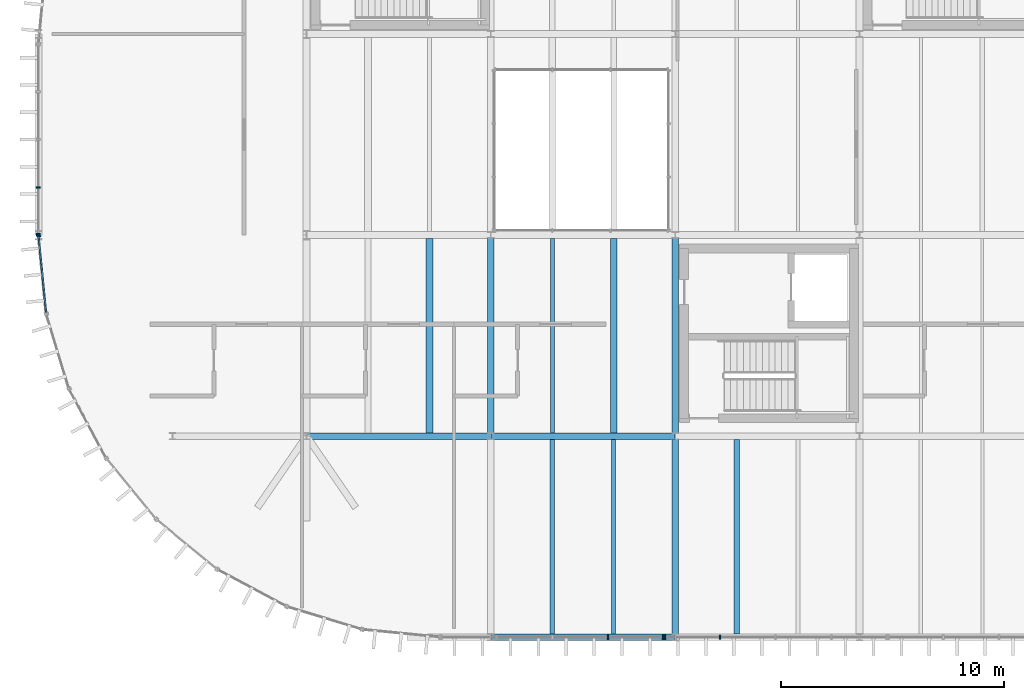
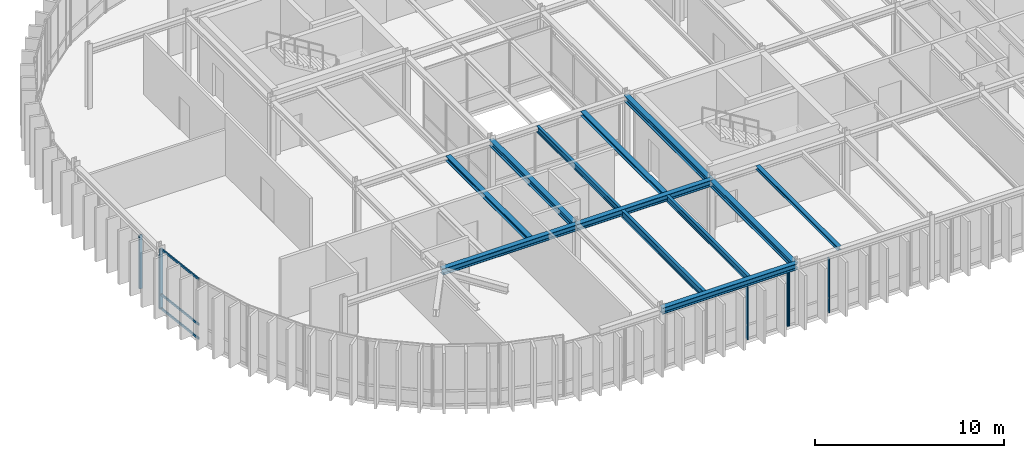
# One storey, part 6 of 27: 12 beams, 10 members, 4 elements without a shape of their own.
"""IFC4 building model written with IfcOpenShell, lengths in metres."""

from ifc_helpers import new_model, si_unit, direction, frame, origin, origin_2d, place, context, subcontext, project, spatial, rectangle, i_section, extrude, material, layer, layer_set, material_profile, profile_set, type_object, element, aggregate, save


model = new_model("IFC4")

# Units and contexts
model_context = context("Model", 3, precision=1e-05, world=origin(), true_north=direction((0.0, 1.0)))
body_context = subcontext(model_context, "Body", "Model", "MODEL_VIEW")
ifc_project = project(units=[si_unit("LENGTHUNIT", "METRE"), si_unit("AREAUNIT", "SQUARE_METRE"), si_unit("VOLUMEUNIT", "CUBIC_METRE"), si_unit("PLANEANGLEUNIT", "RADIAN"), si_unit("MASSUNIT", "GRAM", prefix="KILO")], contexts=[model_context])

# Site, building, storey
site_placement = place(None, origin())
site = spatial("IfcSite", under=ifc_project, at=site_placement, CompositionType="ELEMENT")
building_placement = place(site_placement, origin())
building = spatial("IfcBuilding", under=site, at=building_placement, Name="Montealbar Specialist Clinic", CompositionType="ELEMENT")
storey_placement = place(building_placement, frame((0.0, 0.0, 18.0)))
storey = spatial("IfcBuildingStorey", under=building, at=storey_placement, Name="L04", CompositionType="ELEMENT", Elevation=18.0)

# Beams
ifc_material_1 = material(Name="Steel S355", Category="steel")
ifc_material_profile_1 = material_profile(ifc_material_1, i_section(OverallWidth=0.300048828125, OverallDepth=0.39990234375, WebThickness=0.013427734375, FlangeThickness=0.02392578125, FilletRadius=0.027099609375, at=origin_2d()), Name="HEB 400", Category="steel")
ifc_profile_set_1 = profile_set([ifc_material_profile_1], Name="Steel S355")
beam_type_1 = type_object("IfcBeamType", Name="BM-GIRD-HEB400", PredefinedType="BEAM", material=ifc_profile_set_1)
for number, where, z_axis, x_axis, name in (
    (1, (66.0, 9.0, 3.68994140625), (1.0, 0.0, 0.0), (0.0, 1.0, 0.0), "Beam GX-L04-660-742-90"),
    (2, (74.25, 9.0, 3.68994140625), (1.0, 0.0, 0.0), (0.0, 1.0, 0.0), "Beam GX-L04-742-825-90"),
):
    element("IfcBeam", number, at=place(storey_placement, frame(where, z_axis=z_axis, x_axis=x_axis)), inside=storey, type_object=beam_type_1, Name=name, PredefinedType="BEAM", context=body_context, shape_type="SweptSolid", body=[
        extrude(i_section(OverallWidth=0.300048828125, OverallDepth=0.39990234375, WebThickness=0.013427734375, FlangeThickness=0.02392578125, FilletRadius=0.027099609375, at=origin_2d()), origin(), (0.0, 0.0, 1.0), 8.25),
    ])
for number, where, z_axis, x_axis, name in (
    (3, (74.25, 9.0, 3.68994140625), (0.0, 1.0, 0.0), (-1.0, 0.0, 0.0), "Beam GY-L04-742-90-180"),
    (4, (82.5, 9.0, 3.68994140625), (0.0, 1.0, 0.0), (-1.0, 0.0, 0.0), "Beam GY-L04-825-90-180"),
):
    element("IfcBeam", number, at=place(storey_placement, frame(where, z_axis=z_axis, x_axis=x_axis)), inside=storey, type_object=beam_type_1, Name=name, PredefinedType="BEAM", context=body_context, shape_type="SweptSolid", body=[
        extrude(i_section(OverallWidth=0.300048828125, OverallDepth=0.39990234375, WebThickness=0.013427734375, FlangeThickness=0.02392578125, FilletRadius=0.027099609375, at=origin_2d()), origin(), (0.0, 0.0, 1.0), 9.0),
    ])
ifc_material_profile_2 = material_profile(ifc_material_1, i_section(OverallWidth=0.300048828125, OverallDepth=0.39990234375, WebThickness=0.013427734375, FlangeThickness=0.02392578125, FilletRadius=0.027099609375, at=origin_2d()), Name="HEB 400", Category="steel")
ifc_profile_set_2 = profile_set([ifc_material_profile_2], Name="Steel S355")
beam_type_2 = type_object("IfcBeamType", Name="BM-GIRD-HEB400-EXT", PredefinedType="BEAM", material=ifc_profile_set_2)
beam_1_placement = place(storey_placement, frame((74.25, 0.0, 3.72998046875), z_axis=(1.0, 0.0, 0.0), x_axis=(0.0, 1.0, 0.0)))
element("IfcBeam", 5, at=beam_1_placement, inside=storey, type_object=beam_type_2, Name="Beam GX-L04-742-825-0", PredefinedType="BEAM", context=body_context, shape_type="SweptSolid", body=[
    extrude(i_section(OverallWidth=0.300048828125, OverallDepth=0.39990234375, WebThickness=0.013427734375, FlangeThickness=0.02392578125, FilletRadius=0.027099609375, at=origin_2d()), origin(), (0.0, 0.0, 1.0), 8.25),
])
beam_2_placement = place(storey_placement, frame((82.5, 0.0, 3.68994140625), z_axis=(0.0, 1.0, 0.0), x_axis=(-1.0, 0.0, 0.0)))
element("IfcBeam", 6, at=beam_2_placement, inside=storey, type_object=beam_type_2, Name="Beam GY-L04-825-0-90", PredefinedType="BEAM", context=body_context, shape_type="SweptSolid", body=[
    extrude(i_section(OverallWidth=0.300048828125, OverallDepth=0.39990234375, WebThickness=0.013427734375, FlangeThickness=0.02392578125, FilletRadius=0.027099609375, at=origin_2d()), origin(), (0.0, 0.0, 1.0), 9.0),
])
ifc_material_profile_3 = material_profile(ifc_material_1, i_section(OverallWidth=0.300048828125, OverallDepth=0.320068359375, WebThickness=0.011474609375, FlangeThickness=0.0205078125, FilletRadius=0.027099609375, at=origin_2d()), Name="HEB 320", Category="steel")
ifc_profile_set_3 = profile_set([ifc_material_profile_3], Name="Steel S355")
beam_type_3 = type_object("IfcBeamType", Name="BM-JST-HEB320", PredefinedType="JOIST", material=ifc_profile_set_3)
beam_3_placement = place(storey_placement, frame((71.5, 9.14990234375, 3.72998046875), z_axis=(0.0, 1.0, 0.0), x_axis=(-1.0, 0.0, 0.0)))
element("IfcBeam", 7, at=beam_3_placement, inside=storey, type_object=beam_type_3, Name="Beam JST-L04-715-92-178", PredefinedType="JOIST", context=body_context, shape_type="SweptSolid", body=[
    extrude(i_section(OverallWidth=0.300048828125, OverallDepth=0.320068359375, WebThickness=0.011474609375, FlangeThickness=0.0205078125, FilletRadius=0.027099609375, at=origin_2d()), origin(), (0.0, 0.0, 1.0), 8.7001953125),
])
ifc_material_profile_4 = material_profile(ifc_material_1, i_section(OverallWidth=0.179931640625, OverallDepth=0.39990234375, WebThickness=0.008544921875, FlangeThickness=0.013427734375, FilletRadius=0.02099609375, at=origin_2d()), Name="IPE 400", Category="steel")
ifc_profile_set_4 = profile_set([ifc_material_profile_4], Name="Steel S355")
beam_type_4 = type_object("IfcBeamType", Name="BM-SEC-IPE400", PredefinedType="BEAM", material=ifc_profile_set_4)
for number, where, z_axis, x_axis, name in (
    (8, (79.75, 0.14990234375, 3.68994140625), (0.0, 1.0, 0.0), (-1.0, 0.0, 0.0), "Beam JST-L04-798-2-88"),
    (9, (77.0, 9.14990234375, 3.68994140625), (0.0, 1.0, 0.0), (-1.0, 0.0, 0.0), "Beam JST-L04-770-92-178"),
):
    element("IfcBeam", number, at=place(storey_placement, frame(where, z_axis=z_axis, x_axis=x_axis)), inside=storey, type_object=beam_type_4, Name=name, PredefinedType="BEAM", context=body_context, shape_type="SweptSolid", body=[
        extrude(i_section(OverallWidth=0.179931640625, OverallDepth=0.39990234375, WebThickness=0.008544921875, FlangeThickness=0.013427734375, FilletRadius=0.02099609375, at=origin_2d()), origin(), (0.0, 0.0, 1.0), 8.7001953125),
    ])
ifc_material_profile_5 = material_profile(ifc_material_1, i_section(OverallWidth=0.18994140625, OverallDepth=0.449951171875, WebThickness=0.009521484375, FlangeThickness=0.0146484375, FilletRadius=0.02099609375, at=origin_2d()), Name="IPE 450", Category="steel")
ifc_profile_set_5 = profile_set([ifc_material_profile_5], Name="Steel S355")
beam_type_5 = type_object("IfcBeamType", Name="BM-SEC-IPE450", PredefinedType="BEAM", material=ifc_profile_set_5)
beam_4_placement = place(storey_placement, frame((77.0, 0.14990234375, 3.6650390625), z_axis=(0.0, 1.0, 0.0), x_axis=(-1.0, 0.0, 0.0)))
element("IfcBeam", 10, at=beam_4_placement, inside=storey, type_object=beam_type_5, Name="Beam JST-L04-770-2-88", PredefinedType="BEAM", context=body_context, shape_type="SweptSolid", body=[
    extrude(i_section(OverallWidth=0.18994140625, OverallDepth=0.449951171875, WebThickness=0.009521484375, FlangeThickness=0.0146484375, FilletRadius=0.02099609375, at=origin_2d()), origin(), (0.0, 0.0, 1.0), 8.7001953125),
])
ifc_material_profile_6 = material_profile(ifc_material_1, i_section(OverallWidth=0.239990234375, OverallDepth=0.22998046875, WebThickness=0.007568359375, FlangeThickness=0.011962890625, FilletRadius=0.02099609375, at=origin_2d()), Name="HEA 240", Category="steel")
ifc_profile_set_6 = profile_set([ifc_material_profile_6], Name="Steel S355")
beam_type_6 = type_object("IfcBeamType", Name="BM-SPAND-HEA240", PredefinedType="SPANDREL", material=ifc_profile_set_6)
beam_5_placement = place(storey_placement, frame((85.25, 0.14990234375, 3.77490234375), z_axis=(0.0, 1.0, 0.0), x_axis=(-1.0, 0.0, 0.0)))
element("IfcBeam", 11, at=beam_5_placement, inside=storey, type_object=beam_type_6, Name="Beam JST-L04-852-2-88", PredefinedType="SPANDREL", context=body_context, shape_type="SweptSolid", body=[
    extrude(i_section(OverallWidth=0.239990234375, OverallDepth=0.22998046875, WebThickness=0.007568359375, FlangeThickness=0.011962890625, FilletRadius=0.02099609375, at=origin_2d()), origin(), (0.0, 0.0, 1.0), 8.7001953125),
])
ifc_material_profile_7 = material_profile(ifc_material_1, i_section(OverallWidth=0.300048828125, OverallDepth=0.2900390625, WebThickness=0.008544921875, FlangeThickness=0.013916015625, FilletRadius=0.027099609375, at=origin_2d()), Name="HEA 300", Category="steel")
ifc_profile_set_7 = profile_set([ifc_material_profile_7], Name="Steel S355")
beam_type_7 = type_object("IfcBeamType", Name="BM-SPAND-HEA300", PredefinedType="SPANDREL", material=ifc_profile_set_7)
beam_6_placement = place(storey_placement, frame((79.75, 9.14990234375, 3.7451171875), z_axis=(0.0, 1.0, 0.0), x_axis=(-1.0, 0.0, 0.0)))
element("IfcBeam", 12, at=beam_6_placement, inside=storey, type_object=beam_type_7, Name="Beam JST-L04-798-92-178", PredefinedType="SPANDREL", context=body_context, shape_type="SweptSolid", body=[
    extrude(i_section(OverallWidth=0.300048828125, OverallDepth=0.2900390625, WebThickness=0.008544921875, FlangeThickness=0.013916015625, FilletRadius=0.027099609375, at=origin_2d()), origin(), (0.0, 0.0, 1.0), 8.7001953125),
])

# Curtain wall, members
ifc_material_2 = material(Name="Low-E double glazing", Category="glass")
ifc_layer_1 = layer(ifc_material_2, 0.199951171875, Name="Low-E double glazing", Category="glass")
ifc_layer_set_1 = layer_set([ifc_layer_1], Name="Low-E double glazing")
curtain_wall_type_1 = type_object("IfcCurtainWallType", Name="CW-TYPE-27", PredefinedType="NOTDEFINED", material=ifc_layer_set_1)
curtain_wall_1_placement = place(storey_placement, origin())
curtain_wall_1 = element("IfcCurtainWall", 13, at=curtain_wall_1_placement, inside=storey, type_object=curtain_wall_type_1, Name="Unitised Curtain Wall CW-L04-540-180-540-266-180", PredefinedType="NOTDEFINED")
ifc_material_3 = material(Name="Anodised aluminium EN AW-6063", Category="aluminium")
ifc_material_profile_8 = material_profile(ifc_material_3, rectangle(XDim=0.070068359375, YDim=0.179931640625, at=origin_2d()), Name="ALU 70x180", Category="aluminium")
ifc_profile_set_8 = profile_set([ifc_material_profile_8], Name="Anodised aluminium EN AW-6063")
member_type_1 = type_object("IfcMemberType", Name="CW-MUL-200", PredefinedType="MULLION", material=ifc_profile_set_8)
member_1_placement = place(storey_placement, frame((54.0, 18.0400390625, 0.0), z_axis=(0.0, 0.0, 1.0), x_axis=(0.0, 1.0, 0.0)))
member_1 = element("IfcMember", 14, at=member_1_placement, type_object=member_type_1, Name="Curtain Wall Mullion CW-L04-540-180-540-266-180-00", PredefinedType="MULLION", context=body_context, shape_type="SweptSolid", body=[
    extrude(rectangle(XDim=0.070068359375, YDim=0.179931640625, at=origin_2d()), origin(), (0.0, 0.0, 1.0), 3.489990234375),
])
member_2_placement = place(storey_placement, frame((54.0, 20.136962890625, 0.0), z_axis=(0.0, 0.0, 1.0), x_axis=(0.0, 1.0, 0.0)))
member_2 = element("IfcMember", 15, at=member_2_placement, type_object=member_type_1, Name="Curtain Wall Mullion CW-L04-540-180-540-266-180-01", PredefinedType="MULLION", context=body_context, shape_type="SweptSolid", body=[
    extrude(rectangle(XDim=0.070068359375, YDim=0.179931640625, at=origin_2d()), origin(), (0.0, 0.0, 1.0), 3.489990234375),
])
aggregate(curtain_wall_1, [member_1, member_2])

ifc_layer_2 = layer(ifc_material_2, 0.199951171875, Name="Low-E double glazing", Category="glass")
ifc_layer_set_2 = layer_set([ifc_layer_2], Name="Low-E double glazing")
curtain_wall_type_2 = type_object("IfcCurtainWallType", Name="CW-TYPE-16", PredefinedType="NOTDEFINED", material=ifc_layer_set_2)
curtain_wall_2_placement = place(storey_placement, origin())
curtain_wall_2 = element("IfcCurtainWall", 16, at=curtain_wall_2_placement, inside=storey, type_object=curtain_wall_type_2, Name="Unitised Curtain Wall CW-L04-920-0-820-0-180", PredefinedType="NOTDEFINED")
member_3_placement = place(storey_placement, frame((84.5, 0.0, 0.0), z_axis=(0.0, 0.0, 1.0), x_axis=(-1.0, 0.0, 0.0)))
member_3 = element("IfcMember", 17, at=member_3_placement, type_object=member_type_1, Name="Curtain Wall Mullion CW-L04-920-0-820-0-180-03", PredefinedType="MULLION", context=body_context, shape_type="SweptSolid", body=[
    extrude(rectangle(XDim=0.070068359375, YDim=0.179931640625, at=origin_2d()), origin(), (0.0, 0.0, 1.0), 3.530029296875),
])
member_4_placement = place(storey_placement, frame((82.0400390625, 0.0, 0.0), z_axis=(0.0, 0.0, 1.0), x_axis=(-1.0, 0.0, 0.0)))
member_4 = element("IfcMember", 18, at=member_4_placement, type_object=member_type_1, Name="Curtain Wall Mullion CW-L04-920-0-820-0-180-04", PredefinedType="MULLION", context=body_context, shape_type="SweptSolid", body=[
    extrude(rectangle(XDim=0.070068359375, YDim=0.179931640625, at=origin_2d()), origin(), (0.0, 0.0, 1.0), 3.530029296875),
])
aggregate(curtain_wall_2, [member_3, member_4])

ifc_layer_3 = layer(ifc_material_2, 0.199951171875, Name="Low-E double glazing", Category="glass")
ifc_layer_set_3 = layer_set([ifc_layer_3], Name="Low-E double glazing")
curtain_wall_type_3 = type_object("IfcCurtainWallType", Name="CW-TYPE-32", PredefinedType="NOTDEFINED", material=ifc_layer_set_3)
curtain_wall_3_placement = place(storey_placement, origin())
curtain_wall_3 = element("IfcCurtainWall", 19, at=curtain_wall_3_placement, inside=storey, type_object=curtain_wall_type_3, Name="Unitised Curtain Wall CW-L04-820-0-720-0-180", PredefinedType="NOTDEFINED")
member_5_placement = place(storey_placement, frame((81.9599609375, 0.0, 0.0), z_axis=(0.0, 0.0, 1.0), x_axis=(-1.0, 0.0, 0.0)))
member_5 = element("IfcMember", 20, at=member_5_placement, type_object=member_type_1, Name="Curtain Wall Mullion CW-L04-820-0-720-0-180-00", PredefinedType="MULLION", context=body_context, shape_type="SweptSolid", body=[
    extrude(rectangle(XDim=0.070068359375, YDim=0.179931640625, at=origin_2d()), origin(), (0.0, 0.0, 1.0), 3.43798828125),
])
member_6_placement = place(storey_placement, frame((79.5, 0.0, 0.0), z_axis=(0.0, 0.0, 1.0), x_axis=(-1.0, 0.0, 0.0)))
member_6 = element("IfcMember", 21, at=member_6_placement, type_object=member_type_1, Name="Curtain Wall Mullion CW-L04-820-0-720-0-180-01", PredefinedType="MULLION", context=body_context, shape_type="SweptSolid", body=[
    extrude(rectangle(XDim=0.070068359375, YDim=0.179931640625, at=origin_2d()), origin(), (0.0, 0.0, 1.0), 3.43798828125),
])
aggregate(curtain_wall_3, [member_5, member_6])

ifc_layer_4 = layer(ifc_material_2, 0.199951171875, Name="Low-E double glazing", Category="glass")
ifc_layer_set_4 = layer_set([ifc_layer_4], Name="Low-E double glazing")
curtain_wall_type_4 = type_object("IfcCurtainWallType", Name="CW-TYPE-29", PredefinedType="NOTDEFINED", material=ifc_layer_set_4)
curtain_wall_4_placement = place(storey_placement, origin())
curtain_wall_4 = element("IfcCurtainWall", 22, at=curtain_wall_4_placement, inside=storey, type_object=curtain_wall_type_4, Name="Unitised Curtain Wall CW-L04-543-145-540-180-180", PredefinedType="NOTDEFINED")
member_7_placement = place(storey_placement, frame((54.00390625, 17.9599609375, 0.0), z_axis=(0.0, 0.0, 1.0), x_axis=(-0.098044697094, 0.995182012183, 0.0)))
member_7 = element("IfcMember", 23, at=member_7_placement, type_object=member_type_1, Name="Curtain Wall Mullion CW-L04-543-145-540-180-180-01", PredefinedType="MULLION", context=body_context, shape_type="SweptSolid", body=[
    extrude(rectangle(XDim=0.070068359375, YDim=0.179931640625, at=origin_2d()), origin(), (0.0, 0.0, 1.0), 3.919921875),
])
ifc_material_4 = material(Name="Powder-coated aluminium", Category="aluminium")
ifc_material_profile_9 = material_profile(ifc_material_4, rectangle(XDim=0.070068359375, YDim=0.139892578125, at=origin_2d()), Name="ALU 70x140", Category="aluminium")
ifc_profile_set_9 = profile_set([ifc_material_profile_9], Name="Powder-coated aluminium")
member_type_2 = type_object("IfcMemberType", Name="CW-TRN-140", PredefinedType="USERDEFINED", material=ifc_profile_set_9)
member_8_placement = place(storey_placement, frame((54.341064453125, 14.5380859375, 0.0400390625), z_axis=(-0.098058232162, 0.995180678623, 0.0), x_axis=(-0.995180678623, -0.098058232162, 0.0)))
member_8 = element("IfcMember", 24, at=member_8_placement, type_object=member_type_2, Name="Curtain Wall Transom CW-L04-543-145-540-180-180-00", ObjectType="TRANSOM", PredefinedType="USERDEFINED", context=body_context, shape_type="SweptSolid", body=[
    extrude(rectangle(XDim=0.070068359375, YDim=0.139892578125, at=origin_2d()), origin(), (0.0, 0.0, 1.0), 3.428466796875),
])
member_9_placement = place(storey_placement, frame((54.341064453125, 14.5380859375, 0.949951171875), z_axis=(-0.098058232162, 0.995180678623, 0.0), x_axis=(-0.995180678623, -0.098058232162, 0.0)))
member_9 = element("IfcMember", 25, at=member_9_placement, type_object=member_type_2, Name="Curtain Wall Transom CW-L04-543-145-540-180-180-01", ObjectType="TRANSOM", PredefinedType="USERDEFINED", context=body_context, shape_type="SweptSolid", body=[
    extrude(rectangle(XDim=0.070068359375, YDim=0.139892578125, at=origin_2d()), origin(), (0.0, 0.0, 1.0), 3.428466796875),
])
member_10_placement = place(storey_placement, frame((54.341064453125, 14.5380859375, 3.8798828125), z_axis=(-0.098058232162, 0.995180678623, 0.0), x_axis=(-0.995180678623, -0.098058232162, 0.0)))
member_10 = element("IfcMember", 26, at=member_10_placement, type_object=member_type_2, Name="Curtain Wall Transom CW-L04-543-145-540-180-180-02", ObjectType="TRANSOM", PredefinedType="USERDEFINED", context=body_context, shape_type="SweptSolid", body=[
    extrude(rectangle(XDim=0.070068359375, YDim=0.139892578125, at=origin_2d()), origin(), (0.0, 0.0, 1.0), 3.428466796875),
])
aggregate(curtain_wall_4, [member_7, member_8, member_9, member_10])

save(model, "model.ifc")
